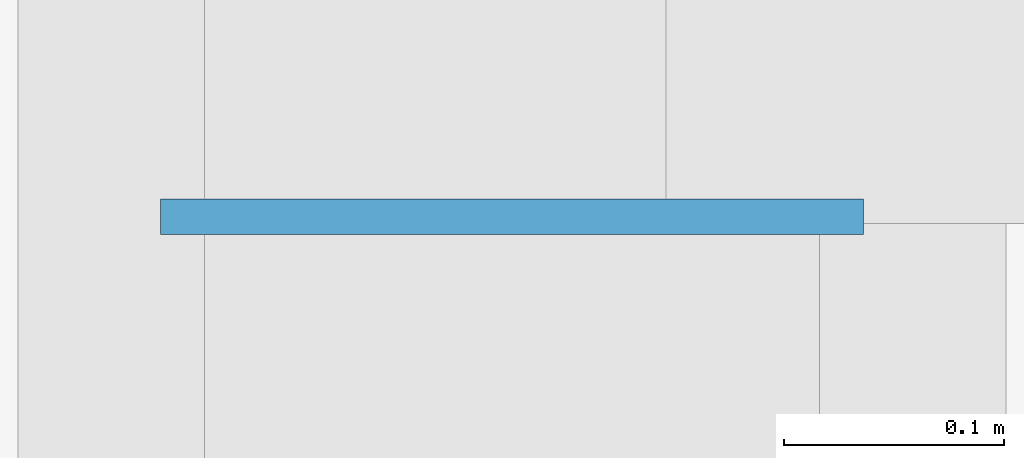
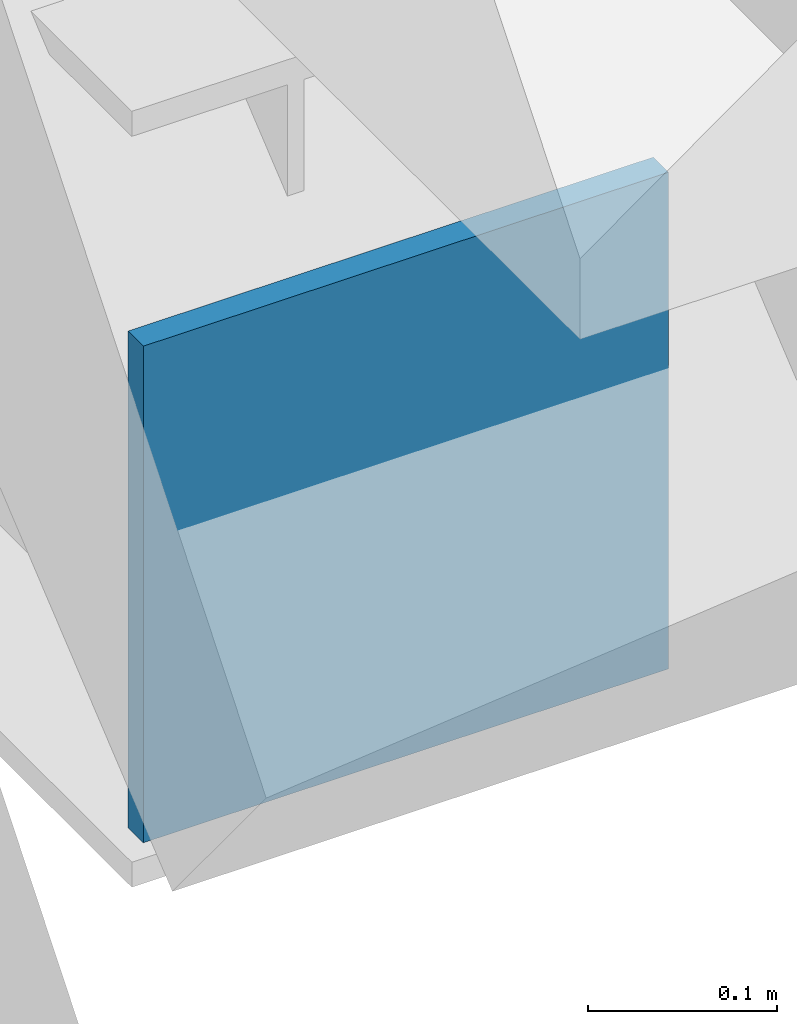
# One storey, part 44 of 71: 1 plate.
"""IFC4 building model written with IfcOpenShell, lengths in metres."""

from ifc_helpers import new_model, si_unit, direction, frame, origin, origin_2d, place, context, subcontext, project, spatial, rectangle, extrude, material, layer, layer_set, type_object, element, save


model = new_model("IFC4")

# Units and contexts
model_context = context("Model", 3, precision=1e-05, world=origin(), true_north=direction((0.0, 1.0)))
body_context = subcontext(model_context, "Body", "Model", "MODEL_VIEW")
ifc_project = project(units=[si_unit("LENGTHUNIT", "METRE"), si_unit("AREAUNIT", "SQUARE_METRE"), si_unit("VOLUMEUNIT", "CUBIC_METRE"), si_unit("PLANEANGLEUNIT", "RADIAN"), si_unit("MASSUNIT", "GRAM", prefix="KILO")], contexts=[model_context])

# Site, building, storey
site_placement = place(None, origin())
site = spatial("IfcSite", under=ifc_project, at=site_placement, CompositionType="ELEMENT")
building_placement = place(site_placement, origin())
building = spatial("IfcBuilding", under=site, at=building_placement, Name="Sardonyx Promenade Sports Hall", CompositionType="ELEMENT")
storey_placement = place(building_placement, frame((0.0, 0.0, 16.0)))
storey = spatial("IfcBuildingStorey", under=building, at=storey_placement, Name="L03", CompositionType="ELEMENT", Elevation=16.0)

# Plate
ifc_material = material(Name="Steel S355JR", Category="steel")
ifc_layer = layer(ifc_material, 0.01611328125)
ifc_layer_set = layer_set([ifc_layer], Name="Plt_EndCap_EC2")
plate_type = type_object("IfcPlateType", Name="Plt_EndCap_EC2", PredefinedType="USERDEFINED", material=ifc_layer_set)
plate_placement = place(storey_placement, frame((158.39990234375, 50.741943359375, -0.60986328125), z_axis=(0.0, 0.0, 1.0), x_axis=(1.0, 0.0, 0.0)))
element("IfcPlate", 1, at=plate_placement, inside=storey, type_object=plate_type, Name="Tie-rod end-cap plate V2 23 S", ObjectType="END CAP PLATE", PredefinedType="USERDEFINED", context=body_context, shape_type="SweptSolid", body=[
    extrude(rectangle(XDim=0.320068359375, YDim=0.01611328125, at=origin_2d()), origin(), (0.0, 0.0, 1.0), 0.320068359375),
])

save(model, "model.ifc")
